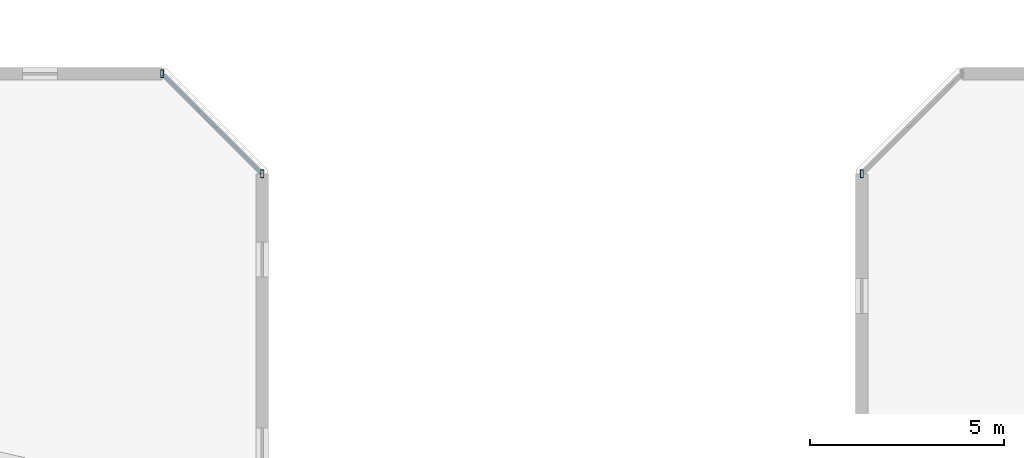
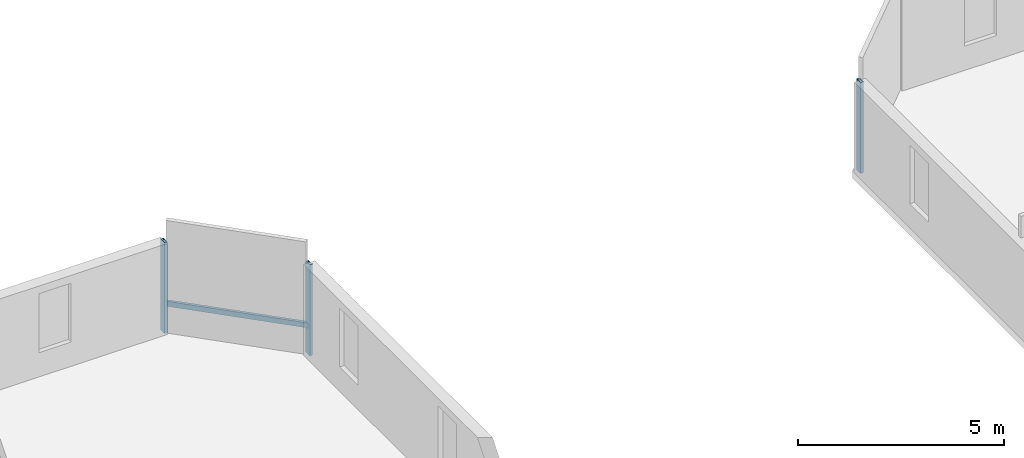
# One storey, part 10 of 33: 4 members, 2 elements without a shape of their own.
"""IFC4 building model written with IfcOpenShell, lengths in metres."""

from ifc_helpers import new_model, si_unit, direction, frame, origin, origin_2d, place, context, subcontext, project, spatial, hollow_rectangle, extrude, material, material_profile, profile_set, type_object, element, aggregate, save


model = new_model("IFC4")

# Units and contexts
model_context = context("Model", 3, precision=1e-05, world=origin(), true_north=direction((0.0, 1.0)))
body_context = subcontext(model_context, "Body", "Model", "MODEL_VIEW")
ifc_project = project(units=[si_unit("LENGTHUNIT", "METRE"), si_unit("AREAUNIT", "SQUARE_METRE"), si_unit("VOLUMEUNIT", "CUBIC_METRE"), si_unit("PLANEANGLEUNIT", "RADIAN"), si_unit("MASSUNIT", "GRAM", prefix="KILO")], contexts=[model_context])

# Site, building, storey
site_placement = place(None, origin())
site = spatial("IfcSite", under=ifc_project, at=site_placement, CompositionType="ELEMENT")
building_placement = place(site_placement, origin())
building = spatial("IfcBuilding", under=site, at=building_placement, Name="Thornwick Lancets Civic Towers", CompositionType="ELEMENT")
storey_placement = place(building_placement, frame((0.0, 0.0, 192.89990234375)))
storey = spatial("IfcBuildingStorey", under=building, at=storey_placement, Name="L51", CompositionType="ELEMENT", Elevation=192.89990234375)

# Curtain wall, members
ifc_material_1 = material(Name="Mid-zone chamfered-corner unitised glass curtain wall", Category="glass")
curtain_wall_type = type_object("IfcCurtainWallType", Name="CW_SYS_04", PredefinedType="NOTDEFINED", material=ifc_material_1)
curtain_wall_1_placement = place(storey_placement, origin())
curtain_wall_1 = element("IfcCurtainWall", 1, at=curtain_wall_1_placement, inside=storey, type_object=curtain_wall_type, Name="L51 Curtain Wall CW-L51-A-E3", PredefinedType="NOTDEFINED")
ifc_material_2 = material(Name="Thermally broken bronze aluminium S355", Category="steel")
ifc_material_profile_1 = material_profile(ifc_material_2, hollow_rectangle(XDim=0.080078125, YDim=0.199951171875, WallThickness=0.006103515625, at=origin_2d()), Name="RHS 200x80x6")
ifc_profile_set_1 = profile_set([ifc_material_profile_1], Name="Thermally broken bronze aluminium S355")
member_type_1 = type_object("IfcMemberType", Name="CW_MUL_200", PredefinedType="MULLION", material=ifc_profile_set_1)
member_1_placement = place(storey_placement, frame((49.2646484375, 48.181396484375, 0.0), z_axis=(0.0, 0.0, 1.0), x_axis=(1.0, 0.0, 0.0)))
member_1 = element("IfcMember", 2, at=member_1_placement, type_object=member_type_1, Name="CW-L51-A-E3 Mullion 0", PredefinedType="MULLION", context=body_context, shape_type="SweptSolid", body=[
    extrude(hollow_rectangle(XDim=0.080078125, YDim=0.199951171875, WallThickness=0.006103515625, at=origin_2d()), origin(), (0.0, 0.0, 1.0), 2.7001953125),
])
member_2_placement = place(storey_placement, frame((46.681396484375, 50.7646484375, 0.0), z_axis=(0.0, 0.0, 1.0), x_axis=(1.0, 0.0, 0.0)))
member_2 = element("IfcMember", 3, at=member_2_placement, type_object=member_type_1, Name="CW-L51-A-E3 Mullion 1", PredefinedType="MULLION", context=body_context, shape_type="SweptSolid", body=[
    extrude(hollow_rectangle(XDim=0.080078125, YDim=0.199951171875, WallThickness=0.006103515625, at=origin_2d()), origin(), (0.0, 0.0, 1.0), 2.7001953125),
])

# Curtain wall, member
curtain_wall_2_placement = place(storey_placement, origin())
curtain_wall_2 = element("IfcCurtainWall", 4, at=curtain_wall_2_placement, inside=storey, type_object=curtain_wall_type, Name="L51 Curtain Wall CW-L51-B-E5", PredefinedType="NOTDEFINED")
member_3_placement = place(storey_placement, frame((64.7353515625, 48.181396484375, 0.0), z_axis=(0.0, 0.0, 1.0), x_axis=(1.0, 0.0, 0.0)))
member_3 = element("IfcMember", 5, at=member_3_placement, type_object=member_type_1, Name="CW-L51-B-E5 Mullion 1", PredefinedType="MULLION", context=body_context, shape_type="SweptSolid", body=[
    extrude(hollow_rectangle(XDim=0.080078125, YDim=0.199951171875, WallThickness=0.006103515625, at=origin_2d()), origin(), (0.0, 0.0, 1.0), 2.7001953125),
])
aggregate(curtain_wall_2, [member_3])

# Member
ifc_material_profile_2 = material_profile(ifc_material_2, hollow_rectangle(XDim=0.074951171875, YDim=0.14990234375, WallThickness=0.0048828125, at=origin_2d()), Name="RHS 150x75x5")
ifc_profile_set_2 = profile_set([ifc_material_profile_2], Name="Thermally broken bronze aluminium S355")
member_type_2 = type_object("IfcMemberType", Name="CW_TRN_150", PredefinedType="USERDEFINED", material=ifc_profile_set_2)
member_4_placement = place(storey_placement, frame((49.25048828125, 48.195556640625, 0.85009765625), z_axis=(-0.707106781187, 0.707106781187, 0.0), x_axis=(-0.707106781187, -0.707106781187, 0.0)))
member_4 = element("IfcMember", 6, at=member_4_placement, type_object=member_type_2, Name="CW-L51-A-E3 Transom 0", ObjectType="TRANSOM", PredefinedType="USERDEFINED", context=body_context, shape_type="SweptSolid", body=[
    extrude(hollow_rectangle(XDim=0.074951171875, YDim=0.14990234375, WallThickness=0.0048828125, at=origin_2d()), origin(), (0.0, 0.0, 1.0), 3.61328125),
])

aggregate(curtain_wall_1, [member_1, member_2, member_4])

save(model, "model.ifc")
